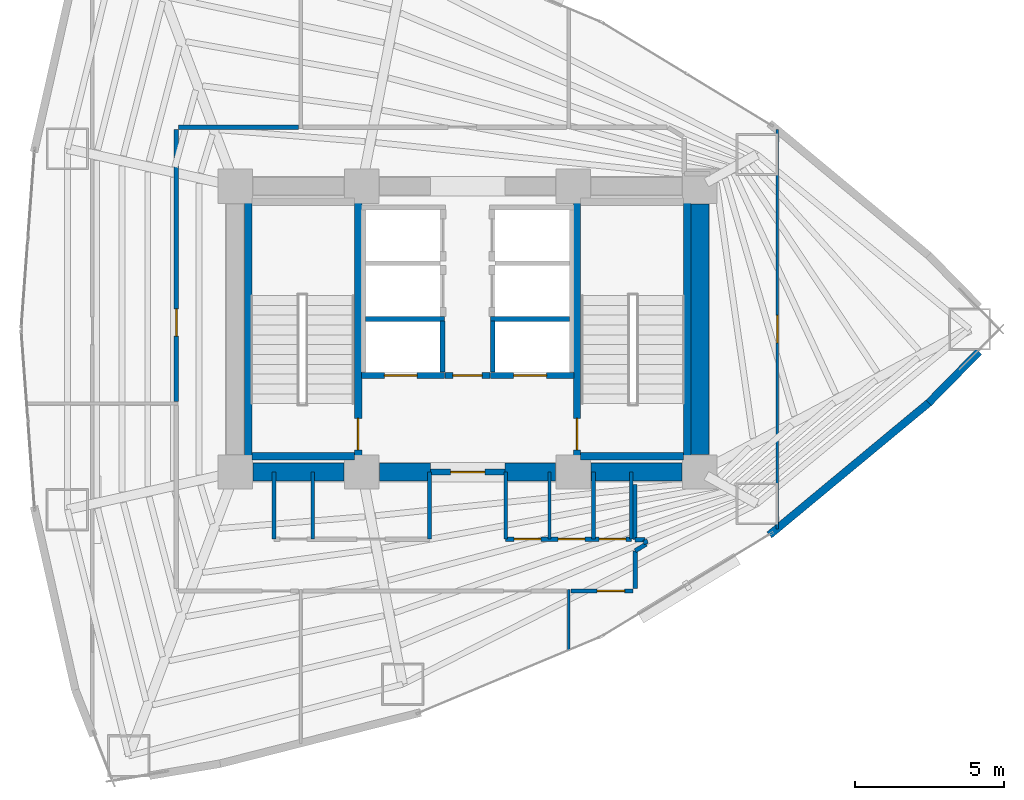
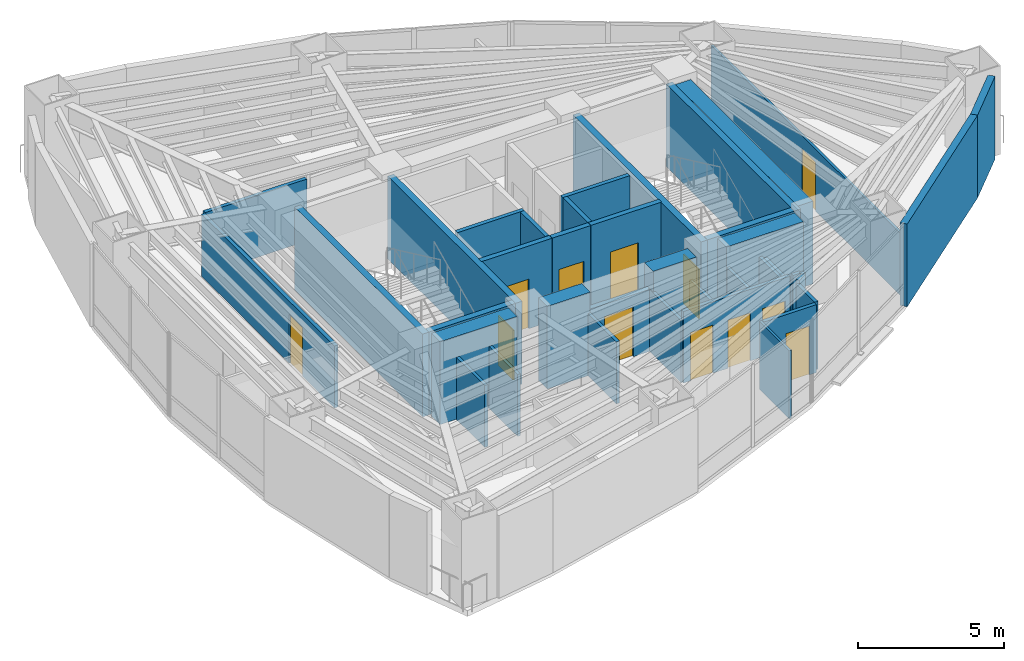
# One storey, part 14 of 17: 39 walls, 12 doors, 12 openings.
"""IFC4 building model written with IfcOpenShell, lengths in metres."""

from ifc_helpers import new_model, si_unit, direction, frame, frame_2d, origin, place, context, subcontext, project, spatial, rectangle, extrude, material, layer, layer_set, type_object, element, fill, save


model = new_model("IFC4")

# Units and contexts
model_context = context("Model", 3, precision=1e-05, world=origin(), true_north=direction((0.0, 1.0)))
body_context = subcontext(model_context, "Body", "Model", "MODEL_VIEW")
ifc_project = project(units=[si_unit("LENGTHUNIT", "METRE"), si_unit("AREAUNIT", "SQUARE_METRE"), si_unit("VOLUMEUNIT", "CUBIC_METRE"), si_unit("PLANEANGLEUNIT", "RADIAN"), si_unit("MASSUNIT", "GRAM", prefix="KILO")], contexts=[model_context])

# Site, building, storey
site_placement = place(None, origin())
site = spatial("IfcSite", under=ifc_project, at=site_placement, CompositionType="ELEMENT")
building_placement = place(site_placement, origin())
building = spatial("IfcBuilding", under=site, at=building_placement, Name="Menara Vayukalpa", CompositionType="ELEMENT")
storey_placement = place(building_placement, frame((0.0, 0.0, 49.919921875)))
storey = spatial("IfcBuildingStorey", under=building, at=storey_placement, Name="L11", CompositionType="ELEMENT", Elevation=49.919921875)

# Walls
ifc_material_1 = material(Name="Concrete C70/85", Category="concrete")
ifc_layer_1 = layer(ifc_material_1, 0.60009765625)
ifc_layer_set_1 = layer_set([ifc_layer_1], Name="Concrete C70/85")
wall_type_1 = type_object("IfcWallType", Name="WAL-CW600", PredefinedType="SHEAR", material=ifc_layer_set_1)
wall_1_placement = place(storey_placement, frame((18.39501953125, 17.199951171875, 0.0), z_axis=(0.0, 0.0, 1.0), x_axis=(1.0, 0.0, 0.0)))
element("IfcWall", 1, at=wall_1_placement, inside=storey, type_object=wall_type_1, Name="L11 Buttressed Core Shear Wall CWS1", PredefinedType="SHEAR", context=body_context, shape_type="SweptSolid", body=[
    extrude(rectangle(XDim=3.06005859375, YDim=0.60009765625, at=frame_2d((1.530029296875, 0.0))), origin(), (0.0, 0.0, 1.0), 3.469970703125),
])
wall_2_placement = place(storey_placement, frame((22.64501953125, 17.199951171875, 0.0), z_axis=(0.0, 0.0, 1.0), x_axis=(1.0, 0.0, 0.0)))
element("IfcWall", 2, at=wall_2_placement, inside=storey, type_object=wall_type_1, Name="L11 Buttressed Core Shear Wall CWS2", PredefinedType="SHEAR", context=body_context, shape_type="SweptSolid", body=[
    extrude(rectangle(XDim=1.705078125, YDim=0.60009765625, at=frame_2d((0.8525390625, 0.0))), origin(), (0.0, 0.0, 1.0), 3.469970703125),
])
wall_3_placement = place(storey_placement, frame((26.85009765625, 17.199951171875, 0.0), z_axis=(0.0, 0.0, 1.0), x_axis=(1.0, 0.0, 0.0)))
element("IfcWall", 3, at=wall_3_placement, inside=storey, type_object=wall_type_1, Name="L11 Buttressed Core Shear Wall CWS3", PredefinedType="SHEAR", context=body_context, shape_type="SweptSolid", body=[
    extrude(rectangle(XDim=1.704833984375, YDim=0.60009765625, at=frame_2d((0.8525390625, 0.0))), origin(), (0.0, 0.0, 1.0), 3.469970703125),
])
wall_4_placement = place(storey_placement, frame((29.7451171875, 17.199951171875, 0.0), z_axis=(0.0, 0.0, 1.0), x_axis=(1.0, 0.0, 0.0)))
element("IfcWall", 4, at=wall_4_placement, inside=storey, type_object=wall_type_1, Name="L11 Buttressed Core Shear Wall CWS4", PredefinedType="SHEAR", context=body_context, shape_type="SweptSolid", body=[
    extrude(rectangle(XDim=3.059814453125, YDim=0.60009765625, at=frame_2d((1.52978515625, 0.0))), origin(), (0.0, 0.0, 1.0), 3.469970703125),
])
wall_5_placement = place(storey_placement, frame((33.39990234375, 17.794921875, 0.0), z_axis=(0.0, 0.0, 1.0), x_axis=(0.0, 1.0, 0.0)))
element("IfcWall", 5, at=wall_5_placement, inside=storey, type_object=wall_type_1, Name="L11 Buttressed Core Shear Wall CWE1", PredefinedType="SHEAR", context=body_context, shape_type="SweptSolid", body=[
    extrude(rectangle(XDim=8.41015625, YDim=0.60009765625, at=frame_2d((4.205078125, 0.0))), origin(), (0.0, 0.0, 1.0), 3.469970703125),
])
ifc_material_2 = material(Name="Insulated Precast Concrete C40/50", Category="concrete")
ifc_layer_2 = layer(ifc_material_2, 0.260009765625)
ifc_layer_set_2 = layer_set([ifc_layer_2], Name="Insulated Precast Concrete C40/50")
wall_type_2 = type_object("IfcWallType", Name="WAL-EXT260", PredefinedType="PARTITIONING", material=ifc_layer_set_2)
wall_6_placement = place(storey_placement, frame((42.770263671875, 21.24169921875, 0.0), z_axis=(0.0, 0.0, 1.0), x_axis=(-0.70059851419, -0.713555689427, 0.0)))
element("IfcWall", 6, at=wall_6_placement, inside=storey, type_object=wall_type_2, Name="L11 Perimeter Terracotta Pier Wall 01", PredefinedType="PARTITIONING", context=body_context, shape_type="SweptSolid", body=[
    extrude(rectangle(XDim=2.411865234375, YDim=0.260009765625, at=frame_2d((1.2060546875, 0.0))), origin(), (0.0, 0.0, 1.0), 3.469970703125),
])
wall_7_placement = place(storey_placement, frame((41.08935546875, 19.52880859375, 0.0), z_axis=(0.0, 0.0, 1.0), x_axis=(-0.769754596928, -0.638339925517, 0.0)))
element("IfcWall", 7, at=wall_7_placement, inside=storey, type_object=wall_type_2, Name="L11 Perimeter Terracotta Pier Wall 18", PredefinedType="PARTITIONING", context=body_context, shape_type="SweptSolid", body=[
    extrude(rectangle(XDim=6.959228515625, YDim=0.260009765625, at=frame_2d((3.4794921875, 0.0))), origin(), (0.0, 0.0, 1.0), 3.469970703125),
])
ifc_material_3 = material(Name="Lightweight Concrete Blockwork C16/20", Category="masonry")
ifc_layer_3 = layer(ifc_material_3, 0.159912109375)
ifc_layer_set_3 = layer_set([ifc_layer_3], Name="Lightweight Concrete Blockwork C16/20")
wall_type_3 = type_object("IfcWallType", Name="WAL-FR150", PredefinedType="PARTITIONING", material=ifc_layer_set_3)
wall_8_placement = place(storey_placement, frame((24.7548828125, 20.56005859375, 0.0), z_axis=(0.0, 0.0, 1.0), x_axis=(0.0, 1.0, 0.0)))
element("IfcWall", 8, at=wall_8_placement, inside=storey, type_object=wall_type_3, Name="L11 Interior Partition IW-L11-SHW-W1E", PredefinedType="PARTITIONING", context=body_context, shape_type="SweptSolid", body=[
    extrude(rectangle(XDim=1.7099609375, YDim=0.159912109375, at=frame_2d((0.85498046875, 0.0))), origin(), (0.0, 0.0, 1.0), 3.469970703125),
])
wall_9_placement = place(storey_placement, frame((22.179931640625, 22.344970703125, 0.0), z_axis=(0.0, 0.0, 1.0), x_axis=(1.0, 0.0, 0.0)))
element("IfcWall", 9, at=wall_9_placement, inside=storey, type_object=wall_type_3, Name="L11 Interior Partition IW-L11-SHM-W12", PredefinedType="PARTITIONING", context=body_context, shape_type="SweptSolid", body=[
    extrude(rectangle(XDim=2.650146484375, YDim=0.159912109375, at=frame_2d((1.3251953125, 0.0))), origin(), (0.0, 0.0, 1.0), 3.469970703125),
])
wall_10_placement = place(storey_placement, frame((26.445068359375, 20.56005859375, 0.0), z_axis=(0.0, 0.0, 1.0), x_axis=(0.0, 1.0, 0.0)))
element("IfcWall", 10, at=wall_10_placement, inside=storey, type_object=wall_type_3, Name="L11 Interior Partition IW-L11-SHW-E1W", PredefinedType="PARTITIONING", context=body_context, shape_type="SweptSolid", body=[
    extrude(rectangle(XDim=1.7099609375, YDim=0.159912109375, at=frame_2d((0.85498046875, 0.0))), origin(), (0.0, 0.0, 1.0), 3.469970703125),
])
wall_11_placement = place(storey_placement, frame((26.3701171875, 22.344970703125, 0.0), z_axis=(0.0, 0.0, 1.0), x_axis=(1.0, 0.0, 0.0)))
element("IfcWall", 11, at=wall_11_placement, inside=storey, type_object=wall_type_3, Name="L11 Interior Partition IW-L11-SHM-E13", PredefinedType="PARTITIONING", context=body_context, shape_type="SweptSolid", body=[
    extrude(rectangle(XDim=2.64990234375, YDim=0.159912109375, at=frame_2d((1.324951171875, 0.0))), origin(), (0.0, 0.0, 1.0), 3.469970703125),
])

# Wall, opening, door
ifc_material_4 = material(Name="Lightweight Concrete Blockwork C16/20", Category="masonry")
ifc_layer_4 = layer(ifc_material_4, 0.199951171875)
ifc_layer_set_4 = layer_set([ifc_layer_4], Name="Lightweight Concrete Blockwork C16/20")
wall_type_4 = type_object("IfcWallType", Name="WAL-FR200", PredefinedType="PARTITIONING", material=ifc_layer_set_4)
wall_12_placement = place(storey_placement, frame((24.35009765625, 17.199951171875, 0.0), z_axis=(0.0, 0.0, 1.0), x_axis=(1.0, 0.0, 0.0)))
wall_12 = element("IfcWall", 12, at=wall_12_placement, inside=storey, type_object=wall_type_4, Name="L11 Interior Partition IW-L11-FFLS", PredefinedType="PARTITIONING", context=body_context, shape_type="SweptSolid", body=[
    extrude(rectangle(XDim=2.5, YDim=0.199951171875, at=frame_2d((1.25, 0.0))), origin(), (0.0, 0.0, 1.0), 2.60009765625),
])
opening_1_placement = place(wall_12_placement, frame((0.679931640625, 0.0, 0.0)))
opening_1 = element("IfcOpeningElement", 13, at=opening_1_placement, cuts=wall_12, Name="Opening ID2", PredefinedType="OPENING", context=body_context, shape_type="SweptSolid", body=[
    extrude(rectangle(XDim=1.14990234375, YDim=2.080078125, at=frame_2d((0.574951171875, 1.0400390625))), frame((0.0, 0.10986328125, 0.0), z_axis=(0.0, -1.0, 0.0), x_axis=(1.0, 0.0, 0.0)), (0.0, 0.0, 1.0), 0.219970703125),
])
ifc_material_5 = material(Name="Fire-Rated Powder-Coated Steel Door", Category="steel")
door_type_1 = type_object("IfcDoorType", Name="DR-FD60W", OperationType="NOTDEFINED", PredefinedType="DOOR", material=ifc_material_5)
door_1_placement = place(opening_1_placement, origin())
door_1 = element("IfcDoor", 14, at=door_1_placement, inside=storey, type_object=door_type_1, Name="L11 Interior Door DR-L11-FFLS", OperationType="SINGLE_SWING_RIGHT", OverallHeight=2.080078125, OverallWidth=1.14990234375, PredefinedType="DOOR", context=body_context, shape_type="SweptSolid", body=[
    extrude(rectangle(XDim=1.14990234375, YDim=2.080078125, at=frame_2d((0.574951171875, 1.0400390625))), frame((0.0, 0.02490234375, 0.0), z_axis=(0.0, -1.0, 0.0), x_axis=(1.0, 0.0, 0.0)), (0.0, 0.0, 1.0), 0.050048828125),
])
fill(opening_1, door_1)

wall_13_placement = place(storey_placement, frame((24.840087890625, 20.449951171875, 0.0), z_axis=(0.0, 0.0, 1.0), x_axis=(1.0, 0.0, 0.0)))
wall_13 = element("IfcWall", 15, at=wall_13_placement, inside=storey, type_object=wall_type_4, Name="L11 Interior Partition IW-L11-FFLN", PredefinedType="PARTITIONING", context=body_context, shape_type="SweptSolid", body=[
    extrude(rectangle(XDim=1.52001953125, YDim=0.199951171875, at=frame_2d((0.760009765625, 0.0))), origin(), (0.0, 0.0, 1.0), 3.469970703125),
])
opening_2_placement = place(wall_13_placement, frame((0.27001953125, 0.0, 0.0)))
opening_2 = element("IfcOpeningElement", 16, at=opening_2_placement, cuts=wall_13, Name="Opening ID3", PredefinedType="OPENING", context=body_context, shape_type="SweptSolid", body=[
    extrude(rectangle(XDim=0.97998046875, YDim=2.06005859375, at=frame_2d((0.489990234375, 1.030029296875))), frame((0.0, 0.10986328125, 0.0), z_axis=(0.0, -1.0, 0.0), x_axis=(1.0, 0.0, 0.0)), (0.0, 0.0, 1.0), 0.219970703125),
])
ifc_material_6 = material(Name="Fire-Rated Powder-Coated Steel Door", Category="steel")
door_type_2 = type_object("IfcDoorType", Name="DR-FD60", OperationType="NOTDEFINED", PredefinedType="DOOR", material=ifc_material_6)
door_2_placement = place(opening_2_placement, origin())
door_2 = element("IfcDoor", 17, at=door_2_placement, inside=storey, type_object=door_type_2, Name="L11 Interior Door DR-L11-FFLN", OperationType="SINGLE_SWING_LEFT", OverallHeight=2.06005859375, OverallWidth=0.97998046875, PredefinedType="DOOR", context=body_context, shape_type="SweptSolid", body=[
    extrude(rectangle(XDim=0.97998046875, YDim=2.06005859375, at=frame_2d((0.489990234375, 1.030029296875))), frame((0.0, 0.02490234375, 0.0), z_axis=(0.0, -1.0, 0.0), x_axis=(1.0, 0.0, 0.0)), (0.0, 0.0, 1.0), 0.050048828125),
])
fill(opening_2, door_2)

wall_14_placement = place(storey_placement, frame((22.030029296875, 20.449951171875, 0.0), z_axis=(0.0, 0.0, 1.0), x_axis=(1.0, 0.0, 0.0)))
wall_14 = element("IfcWall", 18, at=wall_14_placement, inside=storey, type_object=wall_type_4, Name="L11 Interior Partition IW-L11-SH-W1", PredefinedType="PARTITIONING", context=body_context, shape_type="SweptSolid", body=[
    extrude(rectangle(XDim=2.800048828125, YDim=0.199951171875, at=frame_2d((1.39990234375, 0.0))), origin(), (0.0, 0.0, 1.0), 3.469970703125),
])
opening_3_placement = place(wall_14_placement, frame((0.780029296875, 0.0, 0.0)))
opening_3 = element("IfcOpeningElement", 19, at=opening_3_placement, cuts=wall_14, Name="Opening LD1", PredefinedType="OPENING", context=body_context, shape_type="SweptSolid", body=[
    extrude(rectangle(XDim=1.10009765625, YDim=2.080078125, at=frame_2d((0.550048828125, 1.0400390625))), frame((0.0, 0.10986328125, 0.0), z_axis=(0.0, -1.0, 0.0), x_axis=(1.0, 0.0, 0.0)), (0.0, 0.0, 1.0), 0.219970703125),
])
ifc_material_7 = material(Name="Brushed Stainless Steel 316 Lift Door", Category="steel")
door_type_3 = type_object("IfcDoorType", Name="DR-LD110", OperationType="NOTDEFINED", PredefinedType="DOOR", material=ifc_material_7)
door_3_placement = place(opening_3_placement, origin())
door_3 = element("IfcDoor", 20, at=door_3_placement, inside=storey, type_object=door_type_3, Name="L11 Interior Door DR-L11-LD-W1", OperationType="DOUBLE_DOOR_SLIDING", OverallHeight=2.080078125, OverallWidth=1.10009765625, PredefinedType="DOOR", context=body_context, shape_type="SweptSolid", body=[
    extrude(rectangle(XDim=1.10009765625, YDim=2.080078125, at=frame_2d((0.550048828125, 1.0400390625))), frame((0.0, 0.02490234375, 0.0), z_axis=(0.0, -1.0, 0.0), x_axis=(1.0, 0.0, 0.0)), (0.0, 0.0, 1.0), 0.050048828125),
])
fill(opening_3, door_3)

wall_15_placement = place(storey_placement, frame((26.3701171875, 20.449951171875, 0.0), z_axis=(0.0, 0.0, 1.0), x_axis=(1.0, 0.0, 0.0)))
wall_15 = element("IfcWall", 21, at=wall_15_placement, inside=storey, type_object=wall_type_4, Name="L11 Interior Partition IW-L11-SH-E1", PredefinedType="PARTITIONING", context=body_context, shape_type="SweptSolid", body=[
    extrude(rectangle(XDim=2.7998046875, YDim=0.199951171875, at=frame_2d((1.39990234375, 0.0))), origin(), (0.0, 0.0, 1.0), 3.469970703125),
])
opening_4_placement = place(wall_15_placement, frame((0.780029296875, 0.0, 0.0)))
opening_4 = element("IfcOpeningElement", 22, at=opening_4_placement, cuts=wall_15, Name="Opening LD1", PredefinedType="OPENING", context=body_context, shape_type="SweptSolid", body=[
    extrude(rectangle(XDim=1.10009765625, YDim=2.080078125, at=frame_2d((0.550048828125, 1.0400390625))), frame((0.0, 0.10986328125, 0.0), z_axis=(0.0, -1.0, 0.0), x_axis=(1.0, 0.0, 0.0)), (0.0, 0.0, 1.0), 0.219970703125),
])
door_4_placement = place(opening_4_placement, origin())
door_4 = element("IfcDoor", 23, at=door_4_placement, inside=storey, type_object=door_type_3, Name="L11 Interior Door DR-L11-LD-E1", OperationType="DOUBLE_DOOR_SLIDING", OverallHeight=2.080078125, OverallWidth=1.10009765625, PredefinedType="DOOR", context=body_context, shape_type="SweptSolid", body=[
    extrude(rectangle(XDim=1.10009765625, YDim=2.080078125, at=frame_2d((0.550048828125, 1.0400390625))), frame((0.0, 0.02490234375, 0.0), z_axis=(0.0, -1.0, 0.0), x_axis=(1.0, 0.0, 0.0)), (0.0, 0.0, 1.0), 0.050048828125),
])
fill(opening_4, door_4)

# Wall
ifc_material_8 = material(Name="Glazed Demountable Office Partition", Category="glass")
ifc_layer_5 = layer(ifc_material_8, 0.094970703125)
ifc_layer_set_5 = layer_set([ifc_layer_5], Name="Glazed Demountable Office Partition")
wall_type_5 = type_object("IfcWallType", Name="WAL-PT100", PredefinedType="PARTITIONING", material=ifc_layer_set_5)
wall_16_placement = place(storey_placement, frame((29.0, 11.211669921875, 0.0), z_axis=(0.0, 0.0, 1.0), x_axis=(0.0, 1.0, 0.0)))
element("IfcWall", 24, at=wall_16_placement, inside=storey, type_object=wall_type_5, Name="L11 Interior Partition IW-L11-RDIV04", PredefinedType="PARTITIONING", context=body_context, shape_type="SweptSolid", body=[
    extrude(rectangle(XDim=2.04833984375, YDim=0.094970703125, at=frame_2d((1.024169921875, 0.0))), origin(), (0.0, 0.0, 1.0), 2.85009765625),
])

# Wall, opening, door
wall_17_placement = place(storey_placement, frame((36.0, 15.295166015625, 0.0), z_axis=(0.0, 0.0, 1.0), x_axis=(0.0, 1.0, 0.0)))
wall_17 = element("IfcWall", 25, at=wall_17_placement, inside=storey, type_object=wall_type_5, Name="L11 Interior Partition IW-L11-RDIV06", PredefinedType="PARTITIONING", context=body_context, shape_type="SweptSolid", body=[
    extrude(rectangle(XDim=13.40966796875, YDim=0.094970703125, at=frame_2d((6.704833984375, 0.0))), origin(), (0.0, 0.0, 1.0), 2.60009765625),
])
opening_5_placement = place(wall_17_placement, frame((6.244873046875, 0.0, 0.0)))
opening_5 = element("IfcOpeningElement", 26, at=opening_5_placement, cuts=wall_17, Name="Opening ID6", PredefinedType="OPENING", context=body_context, shape_type="SweptSolid", body=[
    extrude(rectangle(XDim=0.919921875, YDim=2.050048828125, at=frame_2d((0.4599609375, 1.02490234375))), frame((0.0, 0.057373046875, 0.0), z_axis=(0.0, -1.0, 0.0), x_axis=(1.0, 0.0, 0.0)), (0.0, 0.0, 1.0), 0.114990234375),
])
ifc_material_9 = material(Name="Acoustic Hardwood Veneer Timber Door", Category="wood")
door_type_4 = type_object("IfcDoorType", Name="DR-INT92", OperationType="NOTDEFINED", PredefinedType="DOOR", material=ifc_material_9)
door_5_placement = place(opening_5_placement, origin())
door_5 = element("IfcDoor", 27, at=door_5_placement, inside=storey, type_object=door_type_4, Name="L11 Interior Door DR-L11-STE05", OperationType="SINGLE_SWING_RIGHT", OverallHeight=2.050048828125, OverallWidth=0.919921875, PredefinedType="DOOR", context=body_context, shape_type="SweptSolid", body=[
    extrude(rectangle(XDim=0.919921875, YDim=2.050048828125, at=frame_2d((0.4599609375, 1.02490234375))), frame((0.0, 0.02490234375, 0.0), z_axis=(0.0, -1.0, 0.0), x_axis=(1.0, 0.0, 0.0)), (0.0, 0.0, 1.0), 0.050048828125),
])
fill(opening_5, door_5)

# Walls
ifc_material_10 = material(Name="Acoustic Mineral Stud Partition", Category="masonry")
ifc_layer_6 = layer(ifc_material_10, 0.110107421875)
ifc_layer_set_6 = layer_set([ifc_layer_6], Name="Acoustic Mineral Stud Partition")
wall_type_6 = type_object("IfcWallType", Name="WAL-PT110", PredefinedType="PARTITIONING", material=ifc_layer_set_6)
for number, where, z_axis, x_axis, name in (
    (28, (20.39990234375, 14.949951171875, 0.0), (0.0, 0.0, 1.0), (0.0, 1.0, 0.0), "L11 Interior Partition IW-L11-SVCD-02"),
    (29, (28.35009765625, 14.949951171875, 0.0), (0.0, 0.0, 1.0), (0.0, 1.0, 0.0), "L11 Interior Partition IW-L11-SVCD-05"),
):
    element("IfcWall", number, at=place(storey_placement, frame(where, z_axis=z_axis, x_axis=x_axis)), inside=storey, type_object=wall_type_6, Name=name, PredefinedType="PARTITIONING", context=body_context, shape_type="SweptSolid", body=[
        extrude(rectangle(XDim=2.25, YDim=0.110107421875, at=frame_2d((1.125, 0.0))), origin(), (0.0, 0.0, 1.0), 2.60009765625),
    ])
ifc_material_11 = material(Name="Gypsum Drywall Steel Stud Assembly", Category="steel")
ifc_layer_7 = layer(ifc_material_11, 0.125)
ifc_layer_set_7 = layer_set([ifc_layer_7], Name="Gypsum Drywall Steel Stud Assembly")
wall_type_7 = type_object("IfcWallType", Name="WAL-PT125", PredefinedType="PARTITIONING", material=ifc_layer_set_7)
for number, where, z_axis, x_axis, name in (
    (30, (19.10009765625, 14.949951171875, 0.0), (0.0, 0.0, 1.0), (0.0, 1.0, 0.0), "L11 Interior Partition IW-L11-SVCD-01"),
    (31, (24.320068359375, 14.949951171875, 0.0), (0.0, 0.0, 1.0), (0.0, 1.0, 0.0), "L11 Interior Partition IW-L11-SVCD-03"),
    (32, (26.8798828125, 14.949951171875, 0.0), (0.0, 0.0, 1.0), (0.0, 1.0, 0.0), "L11 Interior Partition IW-L11-SVCD-04"),
    (33, (29.830078125, 14.949951171875, 0.0), (0.0, 0.0, 1.0), (0.0, 1.0, 0.0), "L11 Interior Partition IW-L11-SVCD-06"),
    (34, (31.10009765625, 14.949951171875, 0.0), (0.0, 0.0, 1.0), (0.0, 1.0, 0.0), "L11 Interior Partition IW-L11-SVCD-07"),
):
    element("IfcWall", number, at=place(storey_placement, frame(where, z_axis=z_axis, x_axis=x_axis)), inside=storey, type_object=wall_type_7, Name=name, PredefinedType="PARTITIONING", context=body_context, shape_type="SweptSolid", body=[
        extrude(rectangle(XDim=2.25, YDim=0.125, at=frame_2d((1.125, 0.0))), origin(), (0.0, 0.0, 1.0), 2.60009765625),
    ])

# Wall, openings, doors
ifc_material_12 = material(Name="Gypsum Drywall Acoustic Stud Assembly", Category="masonry")
ifc_layer_8 = layer(ifc_material_12, 0.14501953125)
ifc_layer_set_8 = layer_set([ifc_layer_8], Name="Gypsum Drywall Acoustic Stud Assembly")
wall_type_8 = type_object("IfcWallType", Name="WAL-PT150", PredefinedType="PARTITIONING", material=ifc_layer_set_8)
wall_18_placement = place(storey_placement, frame((26.8798828125, 14.949951171875, 0.0), z_axis=(0.0, 0.0, 1.0), x_axis=(1.0, 0.0, 0.0)))
wall_18 = element("IfcWall", 35, at=wall_18_placement, inside=storey, type_object=wall_type_8, Name="L11 Interior Partition IW-L11-SVCS-E", PredefinedType="PARTITIONING", context=body_context, shape_type="SweptSolid", body=[
    extrude(rectangle(XDim=4.22021484375, YDim=0.14501953125, at=frame_2d((2.110107421875, 0.0))), origin(), (0.0, 0.0, 1.0), 3.0),
])
opening_6_placement = place(wall_18_placement, frame((0.280029296875, 0.0, 0.0)))
opening_6 = element("IfcOpeningElement", 36, at=opening_6_placement, cuts=wall_18, Name="Opening ID7", PredefinedType="OPENING", context=body_context, shape_type="SweptSolid", body=[
    extrude(rectangle(XDim=0.89990234375, YDim=2.02001953125, at=frame_2d((0.449951171875, 1.010009765625))), frame((0.0, 0.08251953125, 0.0), z_axis=(0.0, -1.0, 0.0), x_axis=(1.0, 0.0, 0.0)), (0.0, 0.0, 1.0), 0.1650390625),
])
opening_7_placement = place(wall_18_placement, frame((1.760009765625, 0.0, 0.0)))
opening_7 = element("IfcOpeningElement", 37, at=opening_7_placement, cuts=wall_18, Name="Opening ID7", PredefinedType="OPENING", context=body_context, shape_type="SweptSolid", body=[
    extrude(rectangle(XDim=0.89990234375, YDim=2.02001953125, at=frame_2d((0.449951171875, 1.010009765625))), frame((0.0, 0.08251953125, 0.0), z_axis=(0.0, -1.0, 0.0), x_axis=(1.0, 0.0, 0.0)), (0.0, 0.0, 1.0), 0.1650390625),
])
opening_8_placement = place(wall_18_placement, frame((3.139892578125, 0.0, 0.0)))
opening_8 = element("IfcOpeningElement", 38, at=opening_8_placement, cuts=wall_18, Name="Opening ID7", PredefinedType="OPENING", context=body_context, shape_type="SweptSolid", body=[
    extrude(rectangle(XDim=0.89990234375, YDim=2.02001953125, at=frame_2d((0.449951171875, 1.010009765625))), frame((0.0, 0.08251953125, 0.0), z_axis=(0.0, -1.0, 0.0), x_axis=(1.0, 0.0, 0.0)), (0.0, 0.0, 1.0), 0.1650390625),
])
ifc_material_13 = material(Name="Powder-Coated Steel Riser Access Door", Category="steel")
door_type_5 = type_object("IfcDoorType", Name="DR-RISER", OperationType="NOTDEFINED", PredefinedType="DOOR", material=ifc_material_13)
door_6_placement = place(opening_6_placement, origin())
door_6 = element("IfcDoor", 39, at=door_6_placement, inside=storey, type_object=door_type_5, Name="L11 Interior Door DR-L11-KSV1", OperationType="SINGLE_SWING_RIGHT", OverallHeight=2.02001953125, OverallWidth=0.89990234375, PredefinedType="DOOR", context=body_context, shape_type="SweptSolid", body=[
    extrude(rectangle(XDim=0.89990234375, YDim=2.02001953125, at=frame_2d((0.449951171875, 1.010009765625))), frame((0.0, 0.02490234375, 0.0), z_axis=(0.0, -1.0, 0.0), x_axis=(1.0, 0.0, 0.0)), (0.0, 0.0, 1.0), 0.050048828125),
])
fill(opening_6, door_6)
door_7_placement = place(opening_7_placement, origin())
door_7 = element("IfcDoor", 40, at=door_7_placement, inside=storey, type_object=door_type_5, Name="L11 Interior Door DR-L11-KSV2", OperationType="SINGLE_SWING_LEFT", OverallHeight=2.02001953125, OverallWidth=0.89990234375, PredefinedType="DOOR", context=body_context, shape_type="SweptSolid", body=[
    extrude(rectangle(XDim=0.89990234375, YDim=2.02001953125, at=frame_2d((0.449951171875, 1.010009765625))), frame((0.0, 0.02490234375, 0.0), z_axis=(0.0, -1.0, 0.0), x_axis=(1.0, 0.0, 0.0)), (0.0, 0.0, 1.0), 0.050048828125),
])
fill(opening_7, door_7)
door_8_placement = place(opening_8_placement, origin())
door_8 = element("IfcDoor", 41, at=door_8_placement, inside=storey, type_object=door_type_5, Name="L11 Interior Door DR-L11-SMD", OperationType="SINGLE_SWING_RIGHT", OverallHeight=2.02001953125, OverallWidth=0.89990234375, PredefinedType="DOOR", context=body_context, shape_type="SweptSolid", body=[
    extrude(rectangle(XDim=0.89990234375, YDim=2.02001953125, at=frame_2d((0.449951171875, 1.010009765625))), frame((0.0, 0.02490234375, 0.0), z_axis=(0.0, -1.0, 0.0), x_axis=(1.0, 0.0, 0.0)), (0.0, 0.0, 1.0), 0.050048828125),
])
fill(opening_8, door_8)

# Wall, opening, door
wall_19_placement = place(storey_placement, frame((29.070068359375, 13.2099609375, 0.0), z_axis=(0.0, 0.0, 1.0), x_axis=(1.0, 0.0, 0.0)))
wall_19 = element("IfcWall", 42, at=wall_19_placement, inside=storey, type_object=wall_type_8, Name="L11 Interior Partition IW-L11-CRM06-1", PredefinedType="PARTITIONING", context=body_context, shape_type="SweptSolid", body=[
    extrude(rectangle(XDim=2.079833984375, YDim=0.14501953125, at=frame_2d((1.0400390625, 0.0))), origin(), (0.0, 0.0, 1.0), 2.85009765625),
])
opening_9_placement = place(wall_19_placement, frame((0.8798828125, 0.0, 0.0)))
opening_9 = element("IfcOpeningElement", 43, at=opening_9_placement, cuts=wall_19, Name="Opening ID6", PredefinedType="OPENING", context=body_context, shape_type="SweptSolid", body=[
    extrude(rectangle(XDim=0.919921875, YDim=2.050048828125, at=frame_2d((0.4599609375, 1.02490234375))), frame((0.0, 0.08251953125, 0.0), z_axis=(0.0, -1.0, 0.0), x_axis=(1.0, 0.0, 0.0)), (0.0, 0.0, 1.0), 0.1650390625),
])
door_9_placement = place(opening_9_placement, origin())
door_9 = element("IfcDoor", 44, at=door_9_placement, inside=storey, type_object=door_type_4, Name="L11 Interior Door DR-L11-RM06", OperationType="SINGLE_SWING_LEFT", OverallHeight=2.050048828125, OverallWidth=0.919921875, PredefinedType="DOOR", context=body_context, shape_type="SweptSolid", body=[
    extrude(rectangle(XDim=0.919921875, YDim=2.050048828125, at=frame_2d((0.4599609375, 1.02490234375))), frame((0.0, 0.02490234375, 0.0), z_axis=(0.0, -1.0, 0.0), x_axis=(1.0, 0.0, 0.0)), (0.0, 0.0, 1.0), 0.050048828125),
])
fill(opening_9, door_9)

# Walls
wall_20_placement = place(storey_placement, frame((31.22998046875, 13.2900390625, 0.0), z_axis=(0.0, 0.0, 1.0), x_axis=(0.0, 1.0, 0.0)))
element("IfcWall", 45, at=wall_20_placement, inside=storey, type_object=wall_type_8, Name="L11 Interior Partition IW-L11-CRM06-2", PredefinedType="PARTITIONING", context=body_context, shape_type="SweptSolid", body=[
    extrude(rectangle(XDim=1.26806640625, YDim=0.14501953125, at=frame_2d((0.634033203125, 0.0))), origin(), (0.0, 0.0, 1.0), 2.85009765625),
])
wall_21_placement = place(storey_placement, frame((31.22998046875, 14.55810546875, 0.0), z_axis=(0.0, 0.0, 1.0), x_axis=(0.854931196424, 0.518741408971, 0.0)))
element("IfcWall", 46, at=wall_21_placement, inside=storey, type_object=wall_type_8, Name="L11 Interior Partition IW-L11-CRM06-3", PredefinedType="PARTITIONING", context=body_context, shape_type="SweptSolid", body=[
    extrude(rectangle(XDim=0.4306640625, YDim=0.14501953125, at=frame_2d((0.21533203125, 0.0))), origin(), (0.0, 0.0, 1.0), 3.0),
])
wall_22_placement = place(storey_placement, frame((31.556640625, 14.929931640625, 0.0), z_axis=(0.0, 0.0, 1.0), x_axis=(-1.0, 0.0, 0.0)))
element("IfcWall", 47, at=wall_22_placement, inside=storey, type_object=wall_type_8, Name="L11 Interior Partition IW-L11-CRM06-4", PredefinedType="PARTITIONING", context=body_context, shape_type="SweptSolid", body=[
    extrude(rectangle(XDim=0.336669921875, YDim=0.14501953125, at=frame_2d((0.16845703125, 0.0))), origin(), (0.0, 0.0, 1.0), 3.0),
])
wall_23_placement = place(storey_placement, frame((31.219970703125, 14.929931640625, 0.0), z_axis=(0.0, 0.0, 1.0), x_axis=(0.0, 1.0, 0.0)))
element("IfcWall", 48, at=wall_23_placement, inside=storey, type_object=wall_type_8, Name="L11 Interior Partition IW-L11-CRM06-5", PredefinedType="PARTITIONING", context=body_context, shape_type="SweptSolid", body=[
    extrude(rectangle(XDim=1.85009765625, YDim=0.14501953125, at=frame_2d((0.925048828125, 0.0))), origin(), (0.0, 0.0, 1.0), 2.60009765625),
])
wall_24_placement = place(storey_placement, frame((19.929931640625, 28.780029296875, 0.0), z_axis=(0.0, 0.0, 1.0), x_axis=(-1.0, 0.0, 0.0)))
element("IfcWall", 49, at=wall_24_placement, inside=storey, type_object=wall_type_8, Name="L11 Interior Partition IW-L11-CRM08-1", PredefinedType="PARTITIONING", context=body_context, shape_type="SweptSolid", body=[
    extrude(rectangle(XDim=4.030029296875, YDim=0.14501953125, at=frame_2d((2.01513671875, 0.0))), origin(), (0.0, 0.0, 1.0), 2.60009765625),
])

# Wall, opening, door
wall_25_placement = place(storey_placement, frame((15.820068359375, 28.699951171875, 0.0), z_axis=(0.0, 0.0, 1.0), x_axis=(0.0, -1.0, 0.0)))
wall_25 = element("IfcWall", 50, at=wall_25_placement, inside=storey, type_object=wall_type_8, Name="L11 Interior Partition IW-L11-CRM08-2", PredefinedType="PARTITIONING", context=body_context, shape_type="SweptSolid", body=[
    extrude(rectangle(XDim=9.1298828125, YDim=0.14501953125, at=frame_2d((4.56494140625, 0.0))), origin(), (0.0, 0.0, 1.0), 2.60009765625),
])
opening_10_placement = place(wall_25_placement, frame((6.017578125, 0.0, 0.0)))
opening_10 = element("IfcOpeningElement", 51, at=opening_10_placement, cuts=wall_25, Name="Opening ID6", PredefinedType="OPENING", context=body_context, shape_type="SweptSolid", body=[
    extrude(rectangle(XDim=0.919921875, YDim=2.050048828125, at=frame_2d((0.4599609375, 1.02490234375))), frame((0.0, 0.08251953125, 0.0), z_axis=(0.0, -1.0, 0.0), x_axis=(1.0, 0.0, 0.0)), (0.0, 0.0, 1.0), 0.1650390625),
])
door_10_placement = place(opening_10_placement, origin())
door_10 = element("IfcDoor", 52, at=door_10_placement, inside=storey, type_object=door_type_4, Name="L11 Interior Door DR-L11-RM08", OperationType="SINGLE_SWING_LEFT", OverallHeight=2.050048828125, OverallWidth=0.919921875, PredefinedType="DOOR", context=body_context, shape_type="SweptSolid", body=[
    extrude(rectangle(XDim=0.919921875, YDim=2.050048828125, at=frame_2d((0.4599609375, 1.02490234375))), frame((0.0, 0.02490234375, 0.0), z_axis=(0.0, -1.0, 0.0), x_axis=(1.0, 0.0, 0.0)), (0.0, 0.0, 1.0), 0.050048828125),
])
fill(opening_10, door_10)

# Walls
wall_26_placement = place(storey_placement, frame((31.59814453125, 14.781494140625, 0.0), z_axis=(0.0, 0.0, 1.0), x_axis=(-0.269277388617, 0.963062660464, 0.0)))
element("IfcWall", 53, at=wall_26_placement, inside=storey, type_object=wall_type_8, Name="L11 Interior Partition IW-L11-CRM06-3-R1", PredefinedType="PARTITIONING", context=body_context, shape_type="SweptSolid", body=[
    extrude(rectangle(XDim=0.154052734375, YDim=0.14501953125, at=frame_2d((0.0771484375, 0.0))), origin(), (0.0, 0.0, 1.0), 3.0),
])
ifc_material_14 = material(Name="Concrete C50/60", Category="concrete")
ifc_layer_9 = layer(ifc_material_14, 0.25)
ifc_layer_set_9 = layer_set([ifc_layer_9], Name="Concrete C50/60")
wall_type_9 = type_object("IfcWallType", Name="WAL-SW250", PredefinedType="SHEAR", material=ifc_layer_set_9)
wall_27_placement = place(storey_placement, frame((18.22900390625, 17.60009765625, 0.0), z_axis=(0.0, 0.0, 1.0), x_axis=(0.0, 1.0, 0.0)))
element("IfcWall", 54, at=wall_27_placement, inside=storey, type_object=wall_type_9, Name="L11 ST1 Structural Stair Shaft Wall W", PredefinedType="SHEAR", context=body_context, shape_type="SweptSolid", body=[
    extrude(rectangle(XDim=8.7998046875, YDim=0.25, at=frame_2d((4.39990234375, 0.0))), origin(), (0.0, 0.0, 1.0), 3.469970703125),
])

# Wall, opening, door
wall_28_placement = place(storey_placement, frame((21.925048828125, 17.60009765625, 0.0), z_axis=(0.0, 0.0, 1.0), x_axis=(0.0, 1.0, 0.0)))
wall_28 = element("IfcWall", 55, at=wall_28_placement, inside=storey, type_object=wall_type_9, Name="L11 ST1 Structural Stair Shaft Wall E", PredefinedType="SHEAR", context=body_context, shape_type="SweptSolid", body=[
    extrude(rectangle(XDim=8.7998046875, YDim=0.25, at=frame_2d((4.39990234375, 0.0))), origin(), (0.0, 0.0, 1.0), 3.469970703125),
])
opening_11_placement = place(wall_28_placement, frame((0.35009765625, 0.0, 0.0)))
opening_11 = element("IfcOpeningElement", 56, at=opening_11_placement, cuts=wall_28, Name="Opening ID1", PredefinedType="OPENING", context=body_context, shape_type="SweptSolid", body=[
    extrude(rectangle(XDim=1.050048828125, YDim=2.080078125, at=frame_2d((0.52490234375, 1.0400390625))), frame((0.0, 0.135009765625, 0.0), z_axis=(0.0, -1.0, 0.0), x_axis=(1.0, 0.0, 0.0)), (0.0, 0.0, 1.0), 0.27001953125),
])
ifc_material_15 = material(Name="Fire-Rated Powder-Coated Steel Door", Category="steel")
door_type_6 = type_object("IfcDoorType", Name="DR-FD120", OperationType="NOTDEFINED", PredefinedType="DOOR", material=ifc_material_15)
door_11_placement = place(opening_11_placement, origin())
door_11 = element("IfcDoor", 57, at=door_11_placement, inside=storey, type_object=door_type_6, Name="L11 Stair Exit Door DR-L11-ST1", OperationType="SINGLE_SWING_LEFT", OverallHeight=2.080078125, OverallWidth=1.050048828125, PredefinedType="DOOR", context=body_context, shape_type="SweptSolid", body=[
    extrude(rectangle(XDim=1.050048828125, YDim=2.080078125, at=frame_2d((0.52490234375, 1.0400390625))), frame((0.0, 0.02490234375, 0.0), z_axis=(0.0, -1.0, 0.0), x_axis=(1.0, 0.0, 0.0)), (0.0, 0.0, 1.0), 0.050048828125),
])
fill(opening_11, door_11)

# Wall
wall_29_placement = place(storey_placement, frame((18.35400390625, 17.72509765625, 0.0), z_axis=(0.0, 0.0, 1.0), x_axis=(1.0, 0.0, 0.0)))
element("IfcWall", 58, at=wall_29_placement, inside=storey, type_object=wall_type_9, Name="L11 ST1 Structural Stair Shaft Wall S", PredefinedType="SHEAR", context=body_context, shape_type="SweptSolid", body=[
    extrude(rectangle(XDim=3.446044921875, YDim=0.25, at=frame_2d((1.72314453125, 0.0))), origin(), (0.0, 0.0, 1.0), 3.469970703125),
])

# Wall, opening, door
wall_30_placement = place(storey_placement, frame((29.27490234375, 17.60009765625, 0.0), z_axis=(0.0, 0.0, 1.0), x_axis=(0.0, 1.0, 0.0)))
wall_30 = element("IfcWall", 59, at=wall_30_placement, inside=storey, type_object=wall_type_9, Name="L11 ST2 Structural Stair Shaft Wall W", PredefinedType="SHEAR", context=body_context, shape_type="SweptSolid", body=[
    extrude(rectangle(XDim=8.7998046875, YDim=0.25, at=frame_2d((4.39990234375, 0.0))), origin(), (0.0, 0.0, 1.0), 3.469970703125),
])
opening_12_placement = place(wall_30_placement, frame((0.35009765625, 0.0, 0.0)))
opening_12 = element("IfcOpeningElement", 60, at=opening_12_placement, cuts=wall_30, Name="Opening ID1", PredefinedType="OPENING", context=body_context, shape_type="SweptSolid", body=[
    extrude(rectangle(XDim=1.050048828125, YDim=2.080078125, at=frame_2d((0.52490234375, 1.0400390625))), frame((0.0, 0.135009765625, 0.0), z_axis=(0.0, -1.0, 0.0), x_axis=(1.0, 0.0, 0.0)), (0.0, 0.0, 1.0), 0.27001953125),
])
door_12_placement = place(opening_12_placement, origin())
door_12 = element("IfcDoor", 61, at=door_12_placement, inside=storey, type_object=door_type_6, Name="L11 Stair Exit Door DR-L11-ST2", OperationType="SINGLE_SWING_RIGHT", OverallHeight=2.080078125, OverallWidth=1.050048828125, PredefinedType="DOOR", context=body_context, shape_type="SweptSolid", body=[
    extrude(rectangle(XDim=1.050048828125, YDim=2.080078125, at=frame_2d((0.52490234375, 1.0400390625))), frame((0.0, 0.02490234375, 0.0), z_axis=(0.0, -1.0, 0.0), x_axis=(1.0, 0.0, 0.0)), (0.0, 0.0, 1.0), 0.050048828125),
])
fill(opening_12, door_12)

# Walls
wall_31_placement = place(storey_placement, frame((32.970947265625, 17.60009765625, 0.0), z_axis=(0.0, 0.0, 1.0), x_axis=(0.0, 1.0, 0.0)))
element("IfcWall", 62, at=wall_31_placement, inside=storey, type_object=wall_type_9, Name="L11 ST2 Structural Stair Shaft Wall E", PredefinedType="SHEAR", context=body_context, shape_type="SweptSolid", body=[
    extrude(rectangle(XDim=8.7998046875, YDim=0.25, at=frame_2d((4.39990234375, 0.0))), origin(), (0.0, 0.0, 1.0), 3.469970703125),
])
wall_32_placement = place(storey_placement, frame((29.39990234375, 17.72509765625, 0.0), z_axis=(0.0, 0.0, 1.0), x_axis=(1.0, 0.0, 0.0)))
element("IfcWall", 63, at=wall_32_placement, inside=storey, type_object=wall_type_9, Name="L11 ST2 Structural Stair Shaft Wall S", PredefinedType="SHEAR", context=body_context, shape_type="SweptSolid", body=[
    extrude(rectangle(XDim=3.446044921875, YDim=0.25, at=frame_2d((1.72314453125, 0.0))), origin(), (0.0, 0.0, 1.0), 3.469970703125),
])

save(model, "model.ifc")
